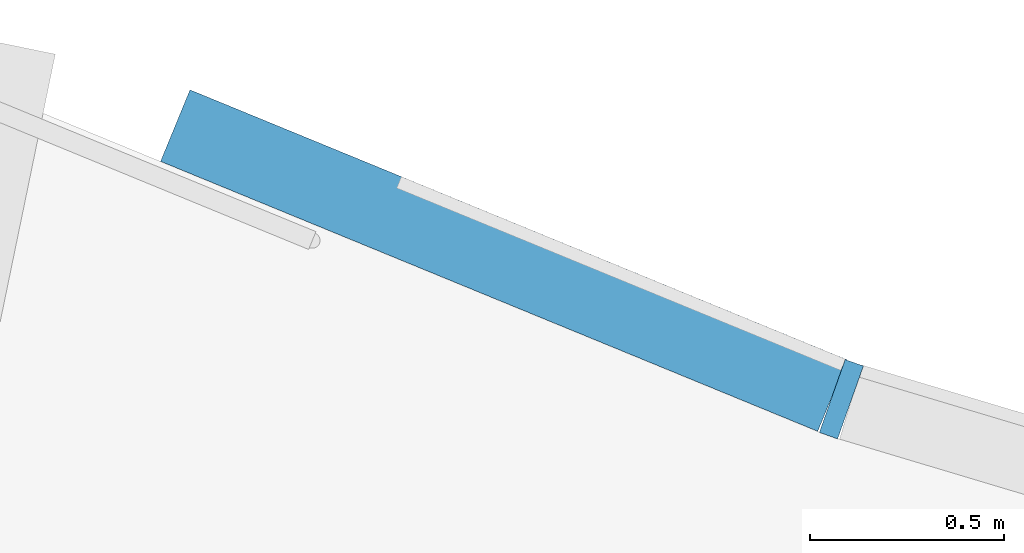
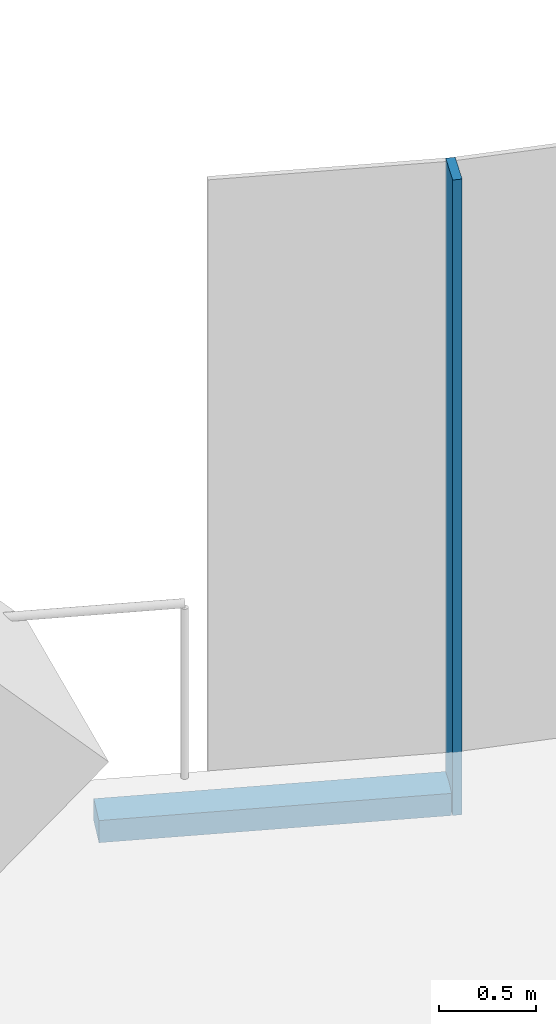
# One storey, part 14 of 37: 2 members, 2 elements without a shape of their own.
"""IFC4 building model written with IfcOpenShell, lengths in metres."""

from ifc_helpers import new_model, si_unit, direction, frame, origin, origin_2d, place, context, subcontext, project, spatial, rectangle, extrude, material, material_profile, profile_set, type_object, element, aggregate, save


model = new_model("IFC4")

# Units and contexts
model_context = context("Model", 3, precision=1e-05, world=origin(), true_north=direction((0.0, 1.0)))
body_context = subcontext(model_context, "Body", "Model", "MODEL_VIEW")
ifc_project = project(units=[si_unit("LENGTHUNIT", "METRE"), si_unit("AREAUNIT", "SQUARE_METRE"), si_unit("VOLUMEUNIT", "CUBIC_METRE"), si_unit("PLANEANGLEUNIT", "RADIAN"), si_unit("MASSUNIT", "GRAM", prefix="KILO")], contexts=[model_context])

# Site, building, storey
site_placement = place(None, origin())
site = spatial("IfcSite", under=ifc_project, at=site_placement, CompositionType="ELEMENT")
building_placement = place(site_placement, origin())
building = spatial("IfcBuilding", under=site, at=building_placement, Name="Orlundy Tower", CompositionType="ELEMENT")
storey_placement = place(building_placement, frame((0.0, 0.0, 119.699951171875)))
storey = spatial("IfcBuildingStorey", under=building, at=storey_placement, Name="L30", CompositionType="ELEMENT", Elevation=119.699951171875)

# Curtain wall, member
ifc_material_1 = material(Name="Aluminium bronze anodised", Category="aluminium")
curtain_wall_type = type_object("IfcCurtainWallType", Name="CW5 wall", PredefinedType="NOTDEFINED", material=ifc_material_1)
curtain_wall_1_placement = place(storey_placement, origin())
curtain_wall_1 = element("IfcCurtainWall", 1, at=curtain_wall_1_placement, inside=storey, type_object=curtain_wall_type, Name="CW5 run 011", PredefinedType="NOTDEFINED")
ifc_material_2 = material(Name="Aluminium bronze anodised", Category="aluminium")
ifc_material_profile_1 = material_profile(ifc_material_2, rectangle(XDim=0.199951171875, YDim=0.050048828125, at=origin_2d()), Name="CW5 mullion 50x200")
ifc_profile_set_1 = profile_set([ifc_material_profile_1], Name="Aluminium bronze anodised")
member_type_1 = type_object("IfcMemberType", Name="CW5 mullion 50x200", PredefinedType="MULLION", material=ifc_profile_set_1)
member_1_placement = place(storey_placement, frame((10.0615234375, 28.408447265625, -0.39990234375), z_axis=(0.0, 0.0, 1.0), x_axis=(0.333818655154, 0.942637313855, 0.0)))
member_1 = element("IfcMember", 2, at=member_1_placement, type_object=member_type_1, Name="CW5 mullion 17", PredefinedType="MULLION", context=body_context, shape_type="SweptSolid", body=[
    extrude(rectangle(XDim=0.199951171875, YDim=0.050048828125, at=origin_2d()), origin(), (0.0, 0.0, 1.0), 4.0),
])
aggregate(curtain_wall_1, [member_1])

curtain_wall_2_placement = place(storey_placement, origin())
curtain_wall_2 = element("IfcCurtainWall", 3, at=curtain_wall_2_placement, inside=storey, type_object=curtain_wall_type, Name="CW5 run 010", PredefinedType="NOTDEFINED")
ifc_material_3 = material(Name="Aluminium bronze anodised", Category="aluminium")
ifc_material_profile_2 = material_profile(ifc_material_3, rectangle(XDim=0.199951171875, YDim=0.139892578125, at=origin_2d()), Name="CW5 transom 200x140")
ifc_profile_set_2 = profile_set([ifc_material_profile_2], Name="Aluminium bronze anodised")
member_type_2 = type_object("IfcMemberType", Name="CW5 transom 200x140", PredefinedType="USERDEFINED", material=ifc_profile_set_2)
member_2_placement = place(storey_placement, frame((8.3408203125, 29.115234375, -0.329833984375), z_axis=(0.925005624709, -0.379953410639, 0.0), x_axis=(0.379953410639, 0.925005624709, 0.0)))
member_2 = element("IfcMember", 4, at=member_2_placement, type_object=member_type_2, Name="CW5 transom", ObjectType="TRANSOM", PredefinedType="USERDEFINED", context=body_context, shape_type="SweptSolid", body=[
    extrude(rectangle(XDim=0.199951171875, YDim=0.139892578125, at=origin_2d()), origin(), (0.0, 0.0, 1.0), 1.835205078125),
])
aggregate(curtain_wall_2, [member_2])

save(model, "model.ifc")
